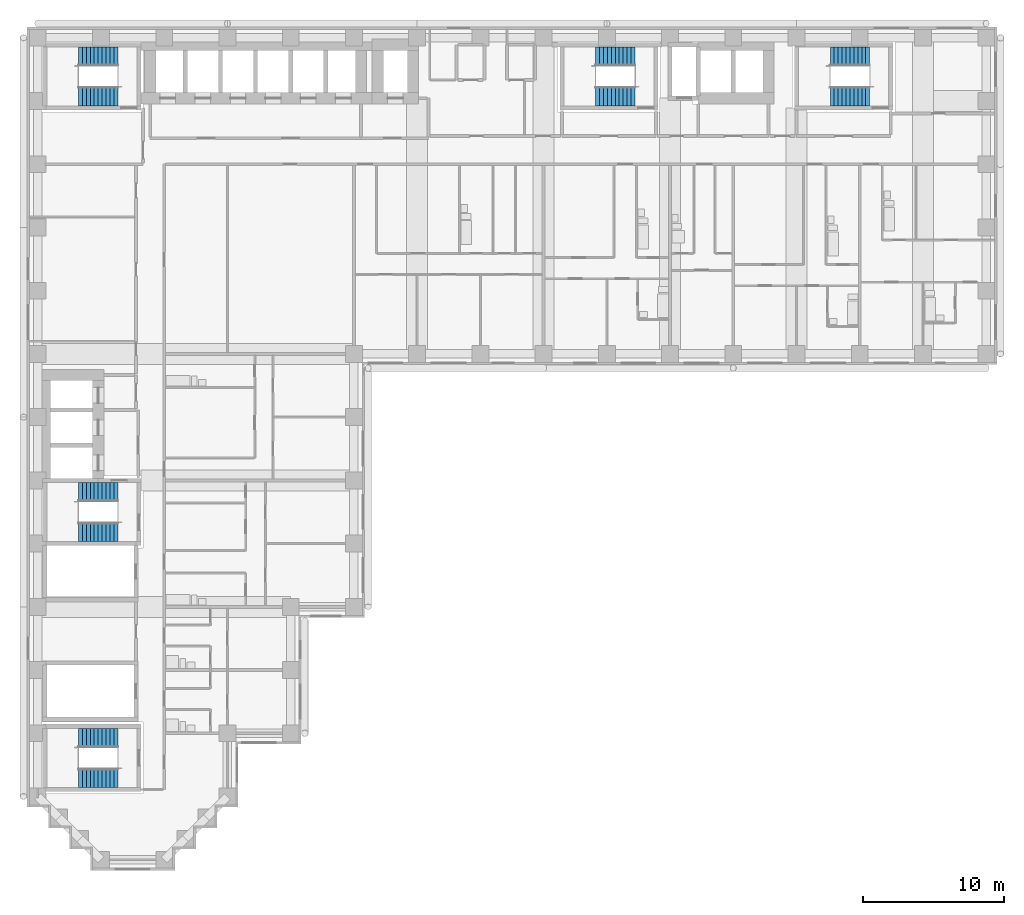
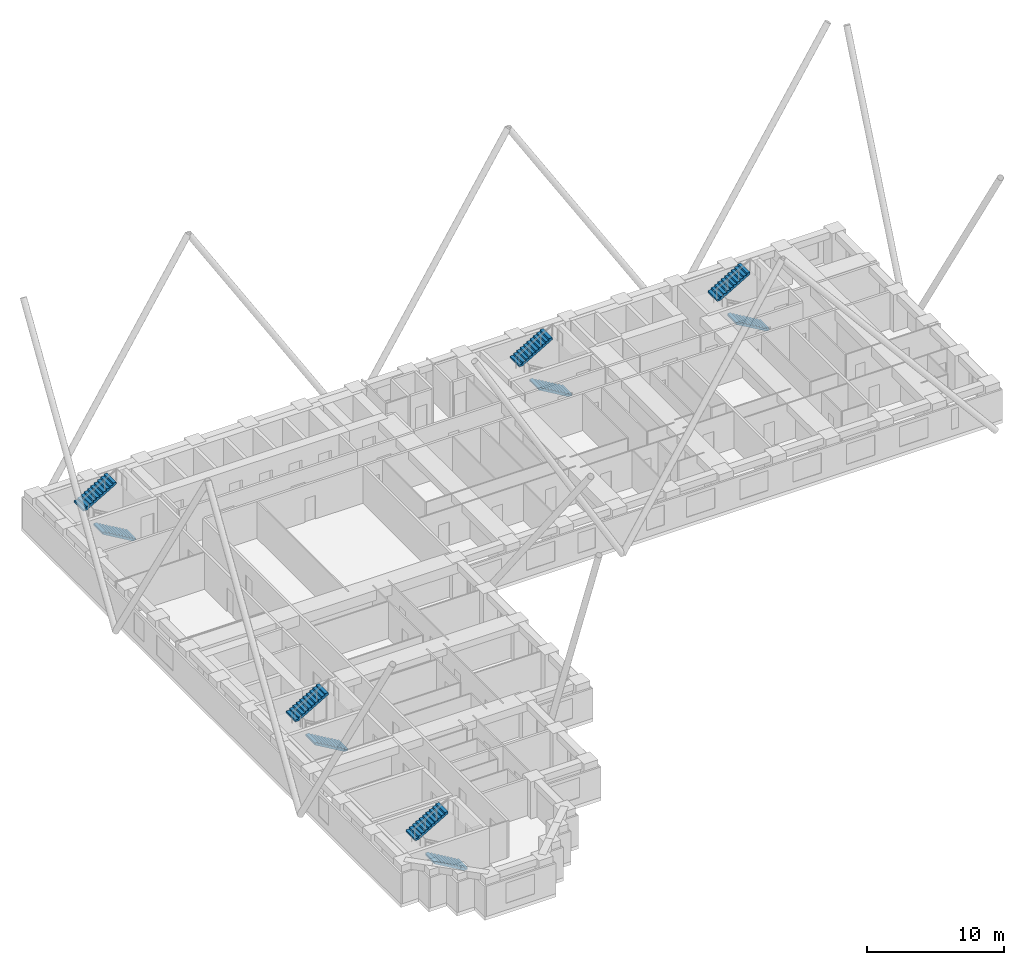
# One storey, part 11 of 13: 10 stair flights, 5 elements without a shape of their own.
"""IFC4 building model written with IfcOpenShell, lengths in metres."""

import ifcopenshell
import ifcopenshell.guid

model = None  # the IFC model being written
_history = None  # IfcOwnerHistory: only IFC2X3 demands one
_inside = {}  # id of a spatial element -> (the spatial element, [elements in it])
_under = {}  # id of a project, library or spatial element -> (it, [spatial elements below it])
_declared = {}  # id of a project -> (the project, [libraries it declares])
_typed = {}  # id of a type object -> (the type object, [elements of that type])
_made_of = {}  # id of a material, layer set ... -> (it, [elements and type objects made of it])


def new_model(schema):
    """Start an empty IFC model of exactly this schema.

    Asked for "IFC4X3", IfcOpenShell would pick the latest addendum, in which some entities
    have other attributes; the version numbers below select the first issue.
    IFC2X3 requires an IfcOwnerHistory on every rooted entity: one is made here for all.
    """
    global model, _history
    if schema == "IFC4X3":
        model = ifcopenshell.file(schema_version=(4, 3, 0, 0))
    else:
        model = ifcopenshell.file(schema=schema)
    _inside.clear()
    _under.clear()
    _declared.clear()
    _typed.clear()
    _made_of.clear()
    _history = None
    if model.schema == "IFC2X3":
        org = make("IfcOrganization", Name="unknown")
        user = make(
            "IfcPersonAndOrganization",
            ThePerson=make("IfcPerson", FamilyName="unknown"),
            TheOrganization=org,
        )
        app = make(
            "IfcApplication",
            ApplicationDeveloper=org,
            Version="unknown",
            ApplicationFullName="unknown",
            ApplicationIdentifier="unknown",
        )
        _history = make(
            "IfcOwnerHistory",
            OwningUser=user,
            OwningApplication=app,
            ChangeAction="ADDED",
            CreationDate=0,
        )
    return model


def make(cls, **values):
    """One entity of the class cls with the attributes given. An attribute that is None is left unset."""
    return model.create_entity(
        cls, **{name: value for name, value in values.items() if value is not None}
    )


def rooted(cls, **values):
    """An entity with a GlobalId (a new one), such as an element, a storey or a relation."""
    return make(cls, GlobalId=ifcopenshell.guid.new(), OwnerHistory=_history, **values)


def si_unit(unit_type, name, prefix=None):
    """IfcSIUnit, for example si_unit("LENGTHUNIT", "METRE", prefix="MILLI")."""
    return make("IfcSIUnit", UnitType=unit_type, Prefix=prefix, Name=name)


def assignment(units):
    """IfcUnitAssignment: the units of a project."""
    return None if units is None else make("IfcUnitAssignment", Units=units)


def point(xyz):
    """IfcCartesianPoint."""
    return None if xyz is None else make("IfcCartesianPoint", Coordinates=xyz)


def direction(xyz):
    """IfcDirection."""
    return None if xyz is None else make("IfcDirection", DirectionRatios=xyz)


def frame(location, z_axis=None, x_axis=None):
    """IfcAxis2Placement3D, a coordinate frame: its origin and axes. An axis left out is left unset."""
    return make(
        "IfcAxis2Placement3D",
        Location=point(location),
        Axis=direction(z_axis),
        RefDirection=direction(x_axis),
    )


def origin():
    """The frame at (0, 0, 0) with its axes left unset."""
    return frame((0.0, 0.0, 0.0))


def place(relative_to, where):
    """IfcLocalPlacement: puts the frame where relative to a parent placement (None: the world)."""
    return make(
        "IfcLocalPlacement", PlacementRelTo=relative_to, RelativePlacement=where
    )


def context(
    kind, dimensions, precision=None, world=None, true_north=None, identifier=None
):
    """IfcGeometricRepresentationContext, for example the 3D "Model" context."""
    return make(
        "IfcGeometricRepresentationContext",
        ContextIdentifier=identifier,
        ContextType=kind,
        CoordinateSpaceDimension=dimensions,
        Precision=precision,
        WorldCoordinateSystem=world,
        TrueNorth=true_north,
    )


def subcontext(parent, identifier, kind, view, scale=None):
    """IfcGeometricRepresentationSubContext, for example "Body" below "Model"."""
    return make(
        "IfcGeometricRepresentationSubContext",
        ContextIdentifier=identifier,
        ContextType=kind,
        ParentContext=parent,
        TargetScale=scale,
        TargetView=view,
    )


def project(units=None, contexts=None):
    """IfcProject with its units and contexts."""
    return rooted(
        "IfcProject",
        Name="project",
        RepresentationContexts=contexts,
        UnitsInContext=assignment(units),
    )


def spatial(cls, under=None, at=None, **own):
    """A site, building, storey or space (cls), placed at a placement, below another one or the project."""
    s = rooted(cls, ObjectPlacement=at, **own)
    if under is not None:
        _under.setdefault(under.id(), (under, []))[1].append(s)
    return s


def polyline(points):
    """IfcPolyline through the points."""
    return make("IfcPolyline", Points=[point(p) for p in points])


def outline(outer, holes=None, kind="AREA"):
    """IfcArbitraryClosedProfileDef: a profile drawn as a closed curve; with holes, ...WithVoids."""
    if holes is None:
        return make("IfcArbitraryClosedProfileDef", ProfileType=kind, OuterCurve=outer)
    return make(
        "IfcArbitraryProfileDefWithVoids",
        ProfileType=kind,
        OuterCurve=outer,
        InnerCurves=holes,
    )


def extrude(swept, where, along, depth):
    """IfcExtrudedAreaSolid: the profile swept, set in the frame where, extruded along a direction by depth."""
    return make(
        "IfcExtrudedAreaSolid",
        SweptArea=swept,
        Position=where,
        ExtrudedDirection=direction(along),
        Depth=depth,
    )


def shape(context_of_items, identifier, shape_type, items):
    """IfcShapeRepresentation: the items that make up one representation, for example the "Body"."""
    return make(
        "IfcShapeRepresentation",
        ContextOfItems=context_of_items,
        RepresentationIdentifier=identifier,
        RepresentationType=shape_type,
        Items=items,
    )


def material(Name=None, Category=None):
    """IfcMaterial."""
    return make("IfcMaterial", Name=Name, Category=Category)


def made_of(thing, what):
    """Note that an element or type object is made of a material, layer set ...; save() writes the relation."""
    if what is not None:
        _made_of.setdefault(what.id(), (what, []))[1].append(thing)
    return thing


def type_object(cls, material=None, **own):
    """A type object (cls), such as IfcWallType, which elements share."""
    return made_of(rooted(cls, **own), material)


def element(
    cls,
    number,
    at=None,
    inside=None,
    cuts=None,
    type_object=None,
    material=None,
    context=None,
    identifier="Body",
    shape_type=None,
    held_by="IfcProductDefinitionShape",
    body=None,
    shapes=None,
    **own,
):
    """One element of the class cls, such as IfcWall. Its Tag is "e" and its number.

    at: its placement. inside: the storey or other place that contains it. cuts: it is an
    opening in that element (IfcRelVoidsElement). A single representation is given by context,
    identifier, shape_type and body (its items); several are given by shapes. held_by: the class
    of the entity that holds the representations. save() writes the other relations.
    """
    e = rooted(cls, Tag="e%d" % number, ObjectPlacement=at, **own)
    if body is not None:
        shapes = [shape(context, identifier, shape_type, body)]
    if shapes is not None:
        e.Representation = make(held_by, Representations=shapes)
    if inside is not None:
        _inside.setdefault(inside.id(), (inside, []))[1].append(e)
    if cuts is not None:
        rooted(
            "IfcRelVoidsElement", RelatingBuildingElement=cuts, RelatedOpeningElement=e
        )
    if type_object is not None:
        _typed.setdefault(type_object.id(), (type_object, []))[1].append(e)
    return made_of(e, material)


def aggregate(whole, parts):
    """IfcRelAggregates: a whole, such as a stair, and the parts it consists of."""
    return rooted("IfcRelAggregates", RelatingObject=whole, RelatedObjects=parts)


def save(model, path):
    """Write the relations noted so far, then the file.

    IfcRelAggregates (storeys below a building ...), IfcRelContainedInSpatialStructure (elements
    in a storey), IfcRelDefinesByType, IfcRelAssociatesMaterial and IfcRelDeclares: one each for
    every whole, place, type object, material and project.
    """
    for whole, parts in _under.values():
        aggregate(whole, parts)
    for where, things in _inside.values():
        rooted(
            "IfcRelContainedInSpatialStructure",
            RelatedElements=things,
            RelatingStructure=where,
        )
    for kind, things in _typed.values():
        rooted("IfcRelDefinesByType", RelatedObjects=things, RelatingType=kind)
    for what, things in _made_of.values():
        rooted("IfcRelAssociatesMaterial", RelatedObjects=things, RelatingMaterial=what)
    for by, libraries in _declared.values():
        rooted("IfcRelDeclares", RelatingContext=by, RelatedDefinitions=libraries)
    model.write(path)


model = new_model("IFC4")

# Units and contexts
model_context = context("Model", 3, precision=1e-05, world=origin(), true_north=direction((0.0, 1.0)))
body_context = subcontext(model_context, "Body", "Model", "MODEL_VIEW")
ifc_project = project(units=[si_unit("LENGTHUNIT", "METRE"), si_unit("AREAUNIT", "SQUARE_METRE"), si_unit("VOLUMEUNIT", "CUBIC_METRE"), si_unit("PLANEANGLEUNIT", "RADIAN"), si_unit("MASSUNIT", "GRAM", prefix="KILO")], contexts=[model_context])

# Site, building, storey
site_placement = place(None, origin())
site = spatial("IfcSite", under=ifc_project, at=site_placement, CompositionType="ELEMENT")
building_placement = place(site_placement, origin())
building = spatial("IfcBuilding", under=site, at=building_placement, Name="Firuza Court", CompositionType="ELEMENT")
storey_placement = place(building_placement, frame((0.0, 0.0, 72.199951171875)))
storey = spatial("IfcBuildingStorey", under=building, at=storey_placement, Name="L17", CompositionType="ELEMENT", Elevation=72.199951171875)

# Stair, stair flights
ifc_material_1 = material(Name="Concrete C40/50 precast", Category="concrete")
stair_type = type_object("IfcStairType", Name="Stair 1350 x 3600 2 flights", PredefinedType="HALF_TURN_STAIR", material=ifc_material_1)
stair_1_placement = place(storey_placement, origin())
stair_1 = element("IfcStair", 1, at=stair_1_placement, inside=storey, type_object=stair_type, Name="Stair 1 L17", PredefinedType="HALF_TURN_STAIR")
ifc_material_2 = material(Name="Concrete C40/50 precast", Category="concrete")
stair_flight_type = type_object("IfcStairFlightType", Name="Flight 1350 riser 163.6", PredefinedType="STRAIGHT", material=ifc_material_2)
stair_flight_1_placement = place(storey_placement, frame((42.5, 54.324951171875, 0.0), z_axis=(0.0, 0.0, 1.0), x_axis=(-1.0, 0.0, 0.0)))
stair_flight_1 = element("IfcStairFlight", 2, at=stair_flight_1_placement, type_object=stair_flight_type, Name="S1 flight 1", NumberOfRisers=11, NumberOfTreads=10, PredefinedType="STRAIGHT", RiserHeight=0.163636364, TreadLength=0.28, context=body_context, shape_type="SweptSolid", body=[
    extrude(outline(polyline([(0.0, 0.0), (0.0, 0.16357421875), (0.280029296875, 0.16357421875), (0.280029296875, 0.327392578125), (0.56005859375, 0.327392578125), (0.56005859375, 0.490966796875), (0.840087890625, 0.490966796875), (0.840087890625, 0.654541015625), (1.1201171875, 0.654541015625), (1.1201171875, 0.818115234375), (1.39990234375, 0.818115234375), (1.39990234375, 0.98193359375), (1.679931640625, 0.98193359375), (1.679931640625, 1.1455078125), (1.9599609375, 1.1455078125), (1.9599609375, 1.30908203125), (2.239990234375, 1.30908203125), (2.239990234375, 1.47265625), (2.52001953125, 1.47265625), (2.52001953125, 1.636474609375), (2.800048828125, 1.636474609375), (2.800048828125, 1.800048828125), (2.800048828125, 1.462646484375), (0.297119140625, 0.0), (0.0, 0.0)])), frame((0.0, 0.675048828125, 0.0), z_axis=(0.0, -1.0, 0.0), x_axis=(1.0, 0.0, 0.0)), (0.0, 0.0, 1.0), 1.35009765625),
])
stair_flight_2_placement = place(storey_placement, frame((39.699951171875, 57.175048828125, 1.800048828125), z_axis=(0.0, 0.0, 1.0), x_axis=(1.0, 0.0, 0.0)))
stair_flight_2 = element("IfcStairFlight", 3, at=stair_flight_2_placement, type_object=stair_flight_type, Name="S1 flight 2", NumberOfRisers=11, NumberOfTreads=10, PredefinedType="STRAIGHT", RiserHeight=0.163636364, TreadLength=0.28, context=body_context, shape_type="SweptSolid", body=[
    extrude(outline(polyline([(0.0, 0.0), (0.0, 0.16357421875), (0.280029296875, 0.16357421875), (0.280029296875, 0.327392578125), (0.56005859375, 0.327392578125), (0.56005859375, 0.490966796875), (0.840087890625, 0.490966796875), (0.840087890625, 0.654541015625), (1.1201171875, 0.654541015625), (1.1201171875, 0.818115234375), (1.39990234375, 0.818115234375), (1.39990234375, 0.98193359375), (1.679931640625, 0.98193359375), (1.679931640625, 1.1455078125), (1.9599609375, 1.1455078125), (1.9599609375, 1.30908203125), (2.239990234375, 1.30908203125), (2.239990234375, 1.47265625), (2.52001953125, 1.47265625), (2.52001953125, 1.636474609375), (2.800048828125, 1.636474609375), (2.800048828125, 1.800048828125), (2.800048828125, 1.462646484375), (0.297119140625, 0.0), (0.0, 0.0)])), frame((0.0, 0.675048828125, 0.0), z_axis=(0.0, -1.0, 0.0), x_axis=(1.0, 0.0, 0.0)), (0.0, 0.0, 1.0), 1.35009765625),
])
aggregate(stair_1, [stair_flight_1, stair_flight_2])

stair_2_placement = place(storey_placement, origin())
stair_2 = element("IfcStair", 4, at=stair_2_placement, inside=storey, type_object=stair_type, Name="Stair 2 L17", PredefinedType="HALF_TURN_STAIR")
stair_flight_3_placement = place(storey_placement, frame((5.699951171875, 23.324951171875, 0.0), z_axis=(0.0, 0.0, 1.0), x_axis=(-1.0, 0.0, 0.0)))
stair_flight_3 = element("IfcStairFlight", 5, at=stair_flight_3_placement, type_object=stair_flight_type, Name="S2 flight 1", NumberOfRisers=11, NumberOfTreads=10, PredefinedType="STRAIGHT", RiserHeight=0.163636364, TreadLength=0.28, context=body_context, shape_type="SweptSolid", body=[
    extrude(outline(polyline([(0.0, 0.0), (0.0, 0.16357421875), (0.280029296875, 0.16357421875), (0.280029296875, 0.327392578125), (0.56005859375, 0.327392578125), (0.56005859375, 0.490966796875), (0.840087890625, 0.490966796875), (0.840087890625, 0.654541015625), (1.1201171875, 0.654541015625), (1.1201171875, 0.818115234375), (1.39990234375, 0.818115234375), (1.39990234375, 0.98193359375), (1.679931640625, 0.98193359375), (1.679931640625, 1.1455078125), (1.9599609375, 1.1455078125), (1.9599609375, 1.30908203125), (2.239990234375, 1.30908203125), (2.239990234375, 1.47265625), (2.52001953125, 1.47265625), (2.52001953125, 1.636474609375), (2.800048828125, 1.636474609375), (2.800048828125, 1.800048828125), (2.800048828125, 1.462646484375), (0.297119140625, 0.0), (0.0, 0.0)])), frame((0.0, 0.675048828125, 0.0), z_axis=(0.0, -1.0, 0.0), x_axis=(1.0, 0.0, 0.0)), (0.0, 0.0, 1.0), 1.35009765625),
])
stair_flight_4_placement = place(storey_placement, frame((2.89990234375, 26.175048828125, 1.800048828125), z_axis=(0.0, 0.0, 1.0), x_axis=(1.0, 0.0, 0.0)))
stair_flight_4 = element("IfcStairFlight", 6, at=stair_flight_4_placement, type_object=stair_flight_type, Name="S2 flight 2", NumberOfRisers=11, NumberOfTreads=10, PredefinedType="STRAIGHT", RiserHeight=0.163636364, TreadLength=0.28, context=body_context, shape_type="SweptSolid", body=[
    extrude(outline(polyline([(0.0, 0.0), (0.0, 0.16357421875), (0.280029296875, 0.16357421875), (0.280029296875, 0.327392578125), (0.56005859375, 0.327392578125), (0.56005859375, 0.490966796875), (0.840087890625, 0.490966796875), (0.840087890625, 0.654541015625), (1.1201171875, 0.654541015625), (1.1201171875, 0.818115234375), (1.39990234375, 0.818115234375), (1.39990234375, 0.98193359375), (1.679931640625, 0.98193359375), (1.679931640625, 1.1455078125), (1.9599609375, 1.1455078125), (1.9599609375, 1.30908203125), (2.239990234375, 1.30908203125), (2.239990234375, 1.47265625), (2.52001953125, 1.47265625), (2.52001953125, 1.636474609375), (2.800048828125, 1.636474609375), (2.800048828125, 1.800048828125), (2.800048828125, 1.462646484375), (0.297119140625, 0.0), (0.0, 0.0)])), frame((0.0, 0.675048828125, 0.0), z_axis=(0.0, -1.0, 0.0), x_axis=(1.0, 0.0, 0.0)), (0.0, 0.0, 1.0), 1.35009765625),
])
aggregate(stair_2, [stair_flight_3, stair_flight_4])

stair_3_placement = place(storey_placement, origin())
stair_3 = element("IfcStair", 7, at=stair_3_placement, inside=storey, type_object=stair_type, Name="Stair 3 L17", PredefinedType="HALF_TURN_STAIR")
stair_flight_5_placement = place(storey_placement, frame((5.699951171875, 54.324951171875, 0.0), z_axis=(0.0, 0.0, 1.0), x_axis=(-1.0, 0.0, 0.0)))
stair_flight_5 = element("IfcStairFlight", 8, at=stair_flight_5_placement, type_object=stair_flight_type, Name="S3 flight 1", NumberOfRisers=11, NumberOfTreads=10, PredefinedType="STRAIGHT", RiserHeight=0.163636364, TreadLength=0.28, context=body_context, shape_type="SweptSolid", body=[
    extrude(outline(polyline([(0.0, 0.0), (0.0, 0.16357421875), (0.280029296875, 0.16357421875), (0.280029296875, 0.327392578125), (0.56005859375, 0.327392578125), (0.56005859375, 0.490966796875), (0.840087890625, 0.490966796875), (0.840087890625, 0.654541015625), (1.1201171875, 0.654541015625), (1.1201171875, 0.818115234375), (1.39990234375, 0.818115234375), (1.39990234375, 0.98193359375), (1.679931640625, 0.98193359375), (1.679931640625, 1.1455078125), (1.9599609375, 1.1455078125), (1.9599609375, 1.30908203125), (2.239990234375, 1.30908203125), (2.239990234375, 1.47265625), (2.52001953125, 1.47265625), (2.52001953125, 1.636474609375), (2.800048828125, 1.636474609375), (2.800048828125, 1.800048828125), (2.800048828125, 1.462646484375), (0.297119140625, 0.0), (0.0, 0.0)])), frame((0.0, 0.675048828125, 0.0), z_axis=(0.0, -1.0, 0.0), x_axis=(1.0, 0.0, 0.0)), (0.0, 0.0, 1.0), 1.35009765625),
])
stair_flight_6_placement = place(storey_placement, frame((2.89990234375, 57.175048828125, 1.800048828125), z_axis=(0.0, 0.0, 1.0), x_axis=(1.0, 0.0, 0.0)))
stair_flight_6 = element("IfcStairFlight", 9, at=stair_flight_6_placement, type_object=stair_flight_type, Name="S3 flight 2", NumberOfRisers=11, NumberOfTreads=10, PredefinedType="STRAIGHT", RiserHeight=0.163636364, TreadLength=0.28, context=body_context, shape_type="SweptSolid", body=[
    extrude(outline(polyline([(0.0, 0.0), (0.0, 0.16357421875), (0.280029296875, 0.16357421875), (0.280029296875, 0.327392578125), (0.56005859375, 0.327392578125), (0.56005859375, 0.490966796875), (0.840087890625, 0.490966796875), (0.840087890625, 0.654541015625), (1.1201171875, 0.654541015625), (1.1201171875, 0.818115234375), (1.39990234375, 0.818115234375), (1.39990234375, 0.98193359375), (1.679931640625, 0.98193359375), (1.679931640625, 1.1455078125), (1.9599609375, 1.1455078125), (1.9599609375, 1.30908203125), (2.239990234375, 1.30908203125), (2.239990234375, 1.47265625), (2.52001953125, 1.47265625), (2.52001953125, 1.636474609375), (2.800048828125, 1.636474609375), (2.800048828125, 1.800048828125), (2.800048828125, 1.462646484375), (0.297119140625, 0.0), (0.0, 0.0)])), frame((0.0, 0.675048828125, 0.0), z_axis=(0.0, -1.0, 0.0), x_axis=(1.0, 0.0, 0.0)), (0.0, 0.0, 1.0), 1.35009765625),
])
aggregate(stair_3, [stair_flight_5, stair_flight_6])

stair_4_placement = place(storey_placement, origin())
stair_4 = element("IfcStair", 10, at=stair_4_placement, inside=storey, type_object=stair_type, Name="Stair 4 L17", PredefinedType="HALF_TURN_STAIR")
stair_flight_7_placement = place(storey_placement, frame((59.199951171875, 54.324951171875, 0.0), z_axis=(0.0, 0.0, 1.0), x_axis=(-1.0, 0.0, 0.0)))
stair_flight_7 = element("IfcStairFlight", 11, at=stair_flight_7_placement, type_object=stair_flight_type, Name="S4 flight 1", NumberOfRisers=11, NumberOfTreads=10, PredefinedType="STRAIGHT", RiserHeight=0.163636364, TreadLength=0.28, context=body_context, shape_type="SweptSolid", body=[
    extrude(outline(polyline([(0.0, 0.0), (0.0, 0.16357421875), (0.280029296875, 0.16357421875), (0.280029296875, 0.327392578125), (0.56005859375, 0.327392578125), (0.56005859375, 0.490966796875), (0.840087890625, 0.490966796875), (0.840087890625, 0.654541015625), (1.1201171875, 0.654541015625), (1.1201171875, 0.818115234375), (1.39990234375, 0.818115234375), (1.39990234375, 0.98193359375), (1.679931640625, 0.98193359375), (1.679931640625, 1.1455078125), (1.9599609375, 1.1455078125), (1.9599609375, 1.30908203125), (2.239990234375, 1.30908203125), (2.239990234375, 1.47265625), (2.52001953125, 1.47265625), (2.52001953125, 1.636474609375), (2.800048828125, 1.636474609375), (2.800048828125, 1.800048828125), (2.800048828125, 1.462646484375), (0.297119140625, 0.0), (0.0, 0.0)])), frame((0.0, 0.675048828125, 0.0), z_axis=(0.0, -1.0, 0.0), x_axis=(1.0, 0.0, 0.0)), (0.0, 0.0, 1.0), 1.35009765625),
])
stair_flight_8_placement = place(storey_placement, frame((56.39990234375, 57.175048828125, 1.800048828125), z_axis=(0.0, 0.0, 1.0), x_axis=(1.0, 0.0, 0.0)))
stair_flight_8 = element("IfcStairFlight", 12, at=stair_flight_8_placement, type_object=stair_flight_type, Name="S4 flight 2", NumberOfRisers=11, NumberOfTreads=10, PredefinedType="STRAIGHT", RiserHeight=0.163636364, TreadLength=0.28, context=body_context, shape_type="SweptSolid", body=[
    extrude(outline(polyline([(0.0, 0.0), (0.0, 0.16357421875), (0.280029296875, 0.16357421875), (0.280029296875, 0.327392578125), (0.56005859375, 0.327392578125), (0.56005859375, 0.490966796875), (0.840087890625, 0.490966796875), (0.840087890625, 0.654541015625), (1.1201171875, 0.654541015625), (1.1201171875, 0.818115234375), (1.39990234375, 0.818115234375), (1.39990234375, 0.98193359375), (1.679931640625, 0.98193359375), (1.679931640625, 1.1455078125), (1.9599609375, 1.1455078125), (1.9599609375, 1.30908203125), (2.239990234375, 1.30908203125), (2.239990234375, 1.47265625), (2.52001953125, 1.47265625), (2.52001953125, 1.636474609375), (2.800048828125, 1.636474609375), (2.800048828125, 1.800048828125), (2.800048828125, 1.462646484375), (0.297119140625, 0.0), (0.0, 0.0)])), frame((0.0, 0.675048828125, 0.0), z_axis=(0.0, -1.0, 0.0), x_axis=(1.0, 0.0, 0.0)), (0.0, 0.0, 1.0), 1.35009765625),
])
aggregate(stair_4, [stair_flight_7, stair_flight_8])

stair_5_placement = place(storey_placement, origin())
stair_5 = element("IfcStair", 13, at=stair_5_placement, inside=storey, type_object=stair_type, Name="Stair 5 L17", PredefinedType="HALF_TURN_STAIR")
stair_flight_9_placement = place(storey_placement, frame((5.699951171875, 5.824951171875, 0.0), z_axis=(0.0, 0.0, 1.0), x_axis=(-1.0, 0.0, 0.0)))
stair_flight_9 = element("IfcStairFlight", 14, at=stair_flight_9_placement, type_object=stair_flight_type, Name="S5 flight 1", NumberOfRisers=11, NumberOfTreads=10, PredefinedType="STRAIGHT", RiserHeight=0.163636364, TreadLength=0.28, context=body_context, shape_type="SweptSolid", body=[
    extrude(outline(polyline([(0.0, 0.0), (0.0, 0.16357421875), (0.280029296875, 0.16357421875), (0.280029296875, 0.327392578125), (0.56005859375, 0.327392578125), (0.56005859375, 0.490966796875), (0.840087890625, 0.490966796875), (0.840087890625, 0.654541015625), (1.1201171875, 0.654541015625), (1.1201171875, 0.818115234375), (1.39990234375, 0.818115234375), (1.39990234375, 0.98193359375), (1.679931640625, 0.98193359375), (1.679931640625, 1.1455078125), (1.9599609375, 1.1455078125), (1.9599609375, 1.30908203125), (2.239990234375, 1.30908203125), (2.239990234375, 1.47265625), (2.52001953125, 1.47265625), (2.52001953125, 1.636474609375), (2.800048828125, 1.636474609375), (2.800048828125, 1.800048828125), (2.800048828125, 1.462646484375), (0.297119140625, 0.0), (0.0, 0.0)])), frame((0.0, 0.675048828125, 0.0), z_axis=(0.0, -1.0, 0.0), x_axis=(1.0, 0.0, 0.0)), (0.0, 0.0, 1.0), 1.35009765625),
])
stair_flight_10_placement = place(storey_placement, frame((2.89990234375, 8.675048828125, 1.800048828125), z_axis=(0.0, 0.0, 1.0), x_axis=(1.0, 0.0, 0.0)))
stair_flight_10 = element("IfcStairFlight", 15, at=stair_flight_10_placement, type_object=stair_flight_type, Name="S5 flight 2", NumberOfRisers=11, NumberOfTreads=10, PredefinedType="STRAIGHT", RiserHeight=0.163636364, TreadLength=0.28, context=body_context, shape_type="SweptSolid", body=[
    extrude(outline(polyline([(0.0, 0.0), (0.0, 0.16357421875), (0.280029296875, 0.16357421875), (0.280029296875, 0.327392578125), (0.56005859375, 0.327392578125), (0.56005859375, 0.490966796875), (0.840087890625, 0.490966796875), (0.840087890625, 0.654541015625), (1.1201171875, 0.654541015625), (1.1201171875, 0.818115234375), (1.39990234375, 0.818115234375), (1.39990234375, 0.98193359375), (1.679931640625, 0.98193359375), (1.679931640625, 1.1455078125), (1.9599609375, 1.1455078125), (1.9599609375, 1.30908203125), (2.239990234375, 1.30908203125), (2.239990234375, 1.47265625), (2.52001953125, 1.47265625), (2.52001953125, 1.636474609375), (2.800048828125, 1.636474609375), (2.800048828125, 1.800048828125), (2.800048828125, 1.462646484375), (0.297119140625, 0.0), (0.0, 0.0)])), frame((0.0, 0.675048828125, 0.0), z_axis=(0.0, -1.0, 0.0), x_axis=(1.0, 0.0, 0.0)), (0.0, 0.0, 1.0), 1.35009765625),
])
aggregate(stair_5, [stair_flight_9, stair_flight_10])

save(model, "model.ifc")
